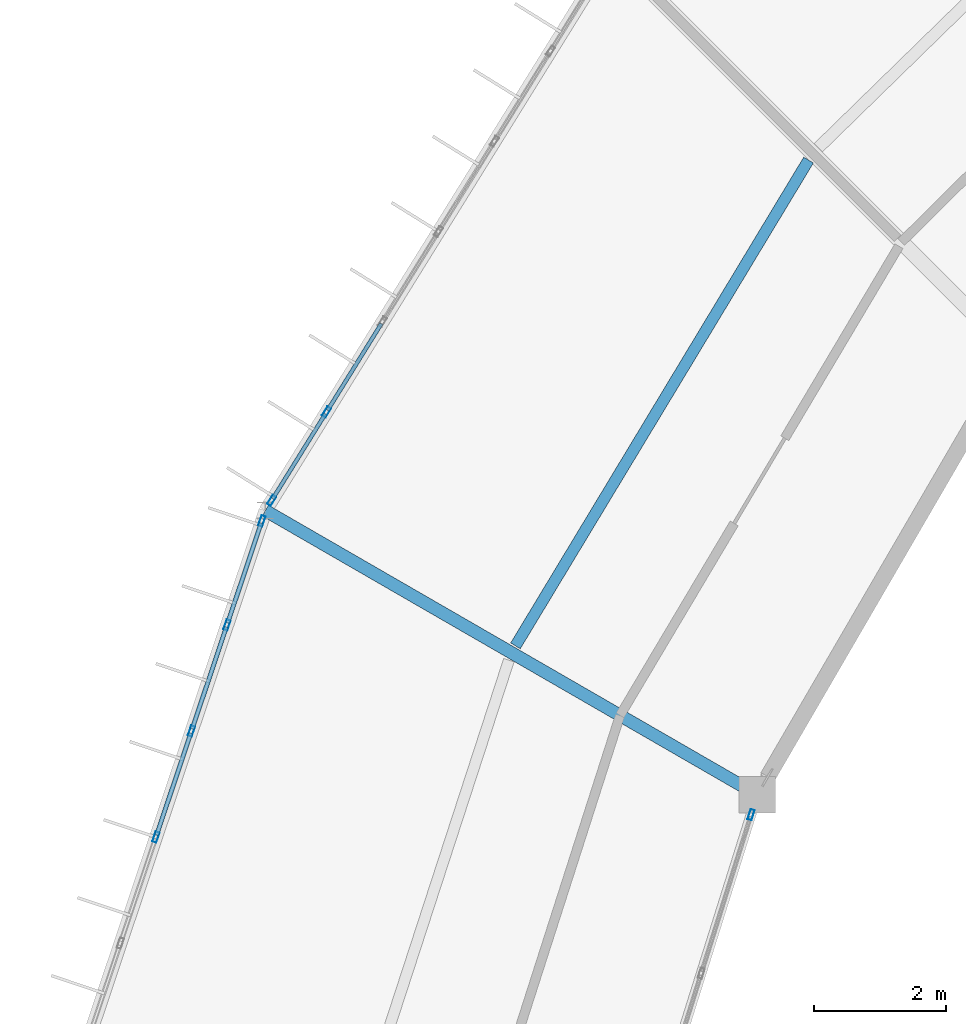
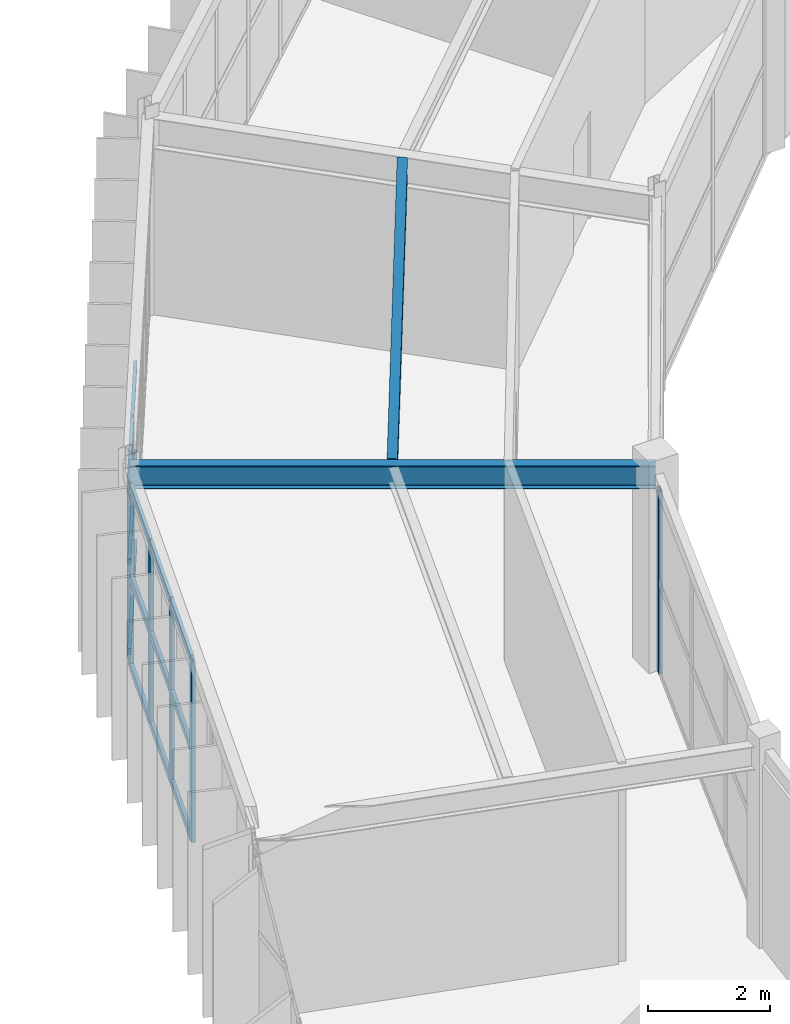
# One storey, part 66 of 134: 22 members, 2 beams, 3 elements without a shape of their own.
"""IFC4 building model written with IfcOpenShell, lengths in metres."""

from ifc_helpers import new_model, si_unit, direction, frame, origin, origin_2d, place, context, subcontext, project, spatial, hollow_rectangle, i_section, extrude, material, material_profile, profile_set, type_object, element, aggregate, save


model = new_model("IFC4")

# Units and contexts
model_context = context("Model", 3, precision=1e-05, world=origin(), true_north=direction((0.0, 1.0)))
body_context = subcontext(model_context, "Body", "Model", "MODEL_VIEW")
ifc_project = project(units=[si_unit("LENGTHUNIT", "METRE"), si_unit("AREAUNIT", "SQUARE_METRE"), si_unit("VOLUMEUNIT", "CUBIC_METRE"), si_unit("PLANEANGLEUNIT", "RADIAN"), si_unit("MASSUNIT", "GRAM", prefix="KILO")], contexts=[model_context])

# Site, building, storey
site_placement = place(None, origin())
site = spatial("IfcSite", under=ifc_project, at=site_placement, CompositionType="ELEMENT")
building_placement = place(site_placement, origin())
building = spatial("IfcBuilding", under=site, at=building_placement, Name="Karori Crest Natural Sciences Institute", CompositionType="ELEMENT")
storey_placement = place(building_placement, frame((0.0, 0.0, 21.699951171875)))
storey = spatial("IfcBuildingStorey", under=building, at=storey_placement, Name="L05", CompositionType="ELEMENT", Elevation=21.699951171875)

# Beams
ifc_material_1 = material(Name="Structural steel AS/NZS 3679.1 Grade 350", Category="steel")
ifc_material_profile_1 = material_profile(ifc_material_1, i_section(OverallWidth=0.18994140625, OverallDepth=0.4541015625, WebThickness=0.008544921875, FlangeThickness=0.0126953125, FilletRadius=0.010986328125, at=origin_2d()), Name="460UB67.1")
ifc_profile_set_1 = profile_set([ifc_material_profile_1], Name="Structural steel AS/NZS 3679.1 Grade 350")
beam_type_1 = type_object("IfcBeamType", Name="BT-28", PredefinedType="BEAM", material=ifc_profile_set_1)
beam_1_placement = place(storey_placement, frame((45.26904296875, 66.0, 3.713134765625), z_axis=(-0.866021068297, 0.500007509209, 0.0), x_axis=(-0.500007509209, -0.866021068297, 0.0)))
element("IfcBeam", 1, at=beam_1_placement, inside=storey, type_object=beam_type_1, Name="Beam B-0581", PredefinedType="BEAM", context=body_context, shape_type="SweptSolid", body=[
    extrude(i_section(OverallWidth=0.18994140625, OverallDepth=0.4541015625, WebThickness=0.008544921875, FlangeThickness=0.0126953125, FilletRadius=0.010986328125, at=origin_2d()), origin(), (0.0, 0.0, 1.0), 8.599853515625),
])
ifc_material_profile_2 = material_profile(ifc_material_1, i_section(OverallWidth=0.1708984375, OverallDepth=0.35595703125, WebThickness=0.00732421875, FlangeThickness=0.011474609375, FilletRadius=0.010986328125, at=origin_2d()), Name="360UB50.7")
ifc_profile_set_2 = profile_set([ifc_material_profile_2], Name="Structural steel AS/NZS 3679.1 Grade 350")
beam_type_2 = type_object("IfcBeamType", Name="BT-30", PredefinedType="BEAM", material=ifc_profile_set_2)
beam_2_placement = place(storey_placement, frame((46.044189453125, 75.606689453125, 3.761962890625), z_axis=(-0.516601017309, -0.856226248672, 0.0), x_axis=(0.856226248672, -0.516601017309, 0.0)))
element("IfcBeam", 2, at=beam_2_placement, inside=storey, type_object=beam_type_2, Name="Beam B-0578", PredefinedType="BEAM", context=body_context, shape_type="SweptSolid", body=[
    extrude(i_section(OverallWidth=0.1708984375, OverallDepth=0.35595703125, WebThickness=0.00732421875, FlangeThickness=0.011474609375, FilletRadius=0.010986328125, at=origin_2d()), origin(), (0.0, 0.0, 1.0), 8.5888671875),
])

# Curtain wall, members
ifc_material_2 = material(Name="Anodised architectural aluminium 6063-T6", Category="aluminium")
curtain_wall_type_1 = type_object("IfcCurtainWallType", Name="CWT-10", PredefinedType="NOTDEFINED", material=ifc_material_2)
curtain_wall_1_placement = place(storey_placement, origin())
curtain_wall_1 = element("IfcCurtainWall", 3, at=curtain_wall_1_placement, inside=storey, type_object=curtain_wall_type_1, Name="Curtain wall CW-0186", PredefinedType="NOTDEFINED")
ifc_material_profile_3 = material_profile(ifc_material_2, hollow_rectangle(XDim=0.06494140625, YDim=0.159912109375, WallThickness=0.00390625, at=origin_2d()), Name="CWM160x65x4")
ifc_profile_set_3 = profile_set([ifc_material_profile_3], Name="Anodised architectural aluminium 6063-T6")
member_type_1 = type_object("IfcMemberType", Name="CWM-01", PredefinedType="MULLION", material=ifc_profile_set_3)
member_1_placement = place(storey_placement, frame((37.916259765625, 70.452880859375, 0.0), z_axis=(0.0, 0.0, 1.0), x_axis=(-0.849664350398, 0.527323896352, 0.0)))
member_1 = element("IfcMember", 4, at=member_1_placement, type_object=member_type_1, Name="CW-0186 mullion 1", PredefinedType="MULLION", context=body_context, shape_type="SweptSolid", body=[
    extrude(hollow_rectangle(XDim=0.06494140625, YDim=0.159912109375, WallThickness=0.00390625, at=origin_2d()), origin(), (0.0, 0.0, 1.0), 3.625),
])
member_2_placement = place(storey_placement, frame((38.746826171875, 71.791259765625, 0.0), z_axis=(0.0, 0.0, 1.0), x_axis=(-0.849664350398, 0.527323896352, 0.0)))
member_2 = element("IfcMember", 5, at=member_2_placement, type_object=member_type_1, Name="CW-0186 mullion 2", PredefinedType="MULLION", context=body_context, shape_type="SweptSolid", body=[
    extrude(hollow_rectangle(XDim=0.06494140625, YDim=0.159912109375, WallThickness=0.00390625, at=origin_2d()), origin(), (0.0, 0.0, 1.0), 3.625),
])

curtain_wall_type_2 = type_object("IfcCurtainWallType", Name="CWT-01", PredefinedType="NOTDEFINED", material=ifc_material_2)
curtain_wall_2_placement = place(storey_placement, origin())
curtain_wall_2 = element("IfcCurtainWall", 6, at=curtain_wall_2_placement, inside=storey, type_object=curtain_wall_type_2, Name="Curtain wall CW-0187", PredefinedType="NOTDEFINED")
member_3_placement = place(storey_placement, frame((36.1650390625, 65.35693359375, 0.0), z_axis=(0.0, 0.0, 1.0), x_axis=(-0.94819805026, 0.317679803392, 0.0)))
member_3 = element("IfcMember", 7, at=member_3_placement, type_object=member_type_1, Name="CW-0187 mullion 4", PredefinedType="MULLION", context=body_context, shape_type="SweptSolid", body=[
    extrude(hollow_rectangle(XDim=0.06494140625, YDim=0.159912109375, WallThickness=0.00390625, at=origin_2d()), origin(), (0.0, 0.0, 1.0), 3.625),
])
member_4_placement = place(storey_placement, frame((36.703125, 66.962890625, 0.0), z_axis=(0.0, 0.0, 1.0), x_axis=(-0.94819805026, 0.317679803392, 0.0)))
member_4 = element("IfcMember", 8, at=member_4_placement, type_object=member_type_1, Name="CW-0187 mullion 5", PredefinedType="MULLION", context=body_context, shape_type="SweptSolid", body=[
    extrude(hollow_rectangle(XDim=0.06494140625, YDim=0.159912109375, WallThickness=0.00390625, at=origin_2d()), origin(), (0.0, 0.0, 1.0), 3.625),
])
member_5_placement = place(storey_placement, frame((37.2412109375, 68.56884765625, 0.0), z_axis=(0.0, 0.0, 1.0), x_axis=(-0.94819805026, 0.317679803392, 0.0)))
member_5 = element("IfcMember", 9, at=member_5_placement, type_object=member_type_1, Name="CW-0187 mullion 6", PredefinedType="MULLION", context=body_context, shape_type="SweptSolid", body=[
    extrude(hollow_rectangle(XDim=0.06494140625, YDim=0.159912109375, WallThickness=0.00390625, at=origin_2d()), origin(), (0.0, 0.0, 1.0), 3.625),
])
member_6_placement = place(storey_placement, frame((37.76904296875, 70.14404296875, 0.0), z_axis=(0.0, 0.0, 1.0), x_axis=(-0.94819805026, 0.317679803392, 0.0)))
member_6 = element("IfcMember", 10, at=member_6_placement, type_object=member_type_1, Name="CW-0187 mullion 7", PredefinedType="MULLION", context=body_context, shape_type="SweptSolid", body=[
    extrude(hollow_rectangle(XDim=0.06494140625, YDim=0.159912109375, WallThickness=0.00390625, at=origin_2d()), origin(), (0.0, 0.0, 1.0), 3.625),
])

# Curtain wall, member
curtain_wall_type_3 = type_object("IfcCurtainWallType", Name="CWT-11", PredefinedType="NOTDEFINED", material=ifc_material_2)
curtain_wall_3_placement = place(storey_placement, origin())
curtain_wall_3 = element("IfcCurtainWall", 11, at=curtain_wall_3_placement, inside=storey, type_object=curtain_wall_type_3, Name="Curtain wall CW-0188", PredefinedType="NOTDEFINED")
member_7_placement = place(storey_placement, frame((45.173583984375, 65.69580078125, 0.0), z_axis=(0.0, 0.0, 1.0), x_axis=(0.954104067778, -0.299475254154, 0.0)))
member_7 = element("IfcMember", 12, at=member_7_placement, type_object=member_type_1, Name="CW-0188 mullion 1", PredefinedType="MULLION", context=body_context, shape_type="SweptSolid", body=[
    extrude(hollow_rectangle(XDim=0.06494140625, YDim=0.159912109375, WallThickness=0.00390625, at=origin_2d()), origin(), (0.0, 0.0, 1.0), 3.650146484375),
])
aggregate(curtain_wall_3, [member_7])

# Member
ifc_material_profile_4 = material_profile(ifc_material_2, hollow_rectangle(XDim=0.06005859375, YDim=0.1201171875, WallThickness=0.00390625, at=origin_2d()), Name="CWT120x60x4")
ifc_profile_set_4 = profile_set([ifc_material_profile_4], Name="Anodised architectural aluminium 6063-T6")
member_type_2 = type_object("IfcMemberType", Name="CWT-TR1", PredefinedType="USERDEFINED", material=ifc_profile_set_4)
member_8_placement = place(storey_placement, frame((37.933349609375, 70.48046875, 0.030029296875), z_axis=(0.52732262058, 0.849665142173, 0.0), x_axis=(-0.849665142173, 0.52732262058, 0.0)))
member_8 = element("IfcMember", 13, at=member_8_placement, type_object=member_type_2, Name="CW-0186 transom 1.1", ObjectType="TRANSOM", PredefinedType="USERDEFINED", context=body_context, shape_type="SweptSolid", body=[
    extrude(hollow_rectangle(XDim=0.06005859375, YDim=0.1201171875, WallThickness=0.00390625, at=origin_2d()), origin(), (0.0, 0.0, 1.0), 1.51025390625),
])

member_9_placement = place(storey_placement, frame((37.933349609375, 70.48046875, 1.8125), z_axis=(0.52732262058, 0.849665142173, 0.0), x_axis=(-0.849665142173, 0.52732262058, 0.0)))
member_9 = element("IfcMember", 14, at=member_9_placement, type_object=member_type_2, Name="CW-0186 transom 1.2", ObjectType="TRANSOM", PredefinedType="USERDEFINED", context=body_context, shape_type="SweptSolid", body=[
    extrude(hollow_rectangle(XDim=0.06005859375, YDim=0.1201171875, WallThickness=0.00390625, at=origin_2d()), origin(), (0.0, 0.0, 1.0), 1.51025390625),
])

member_10_placement = place(storey_placement, frame((37.933349609375, 70.48046875, 3.594970703125), z_axis=(0.52732262058, 0.849665142173, 0.0), x_axis=(-0.849665142173, 0.52732262058, 0.0)))
member_10 = element("IfcMember", 15, at=member_10_placement, type_object=member_type_2, Name="CW-0186 transom 1.3", ObjectType="TRANSOM", PredefinedType="USERDEFINED", context=body_context, shape_type="SweptSolid", body=[
    extrude(hollow_rectangle(XDim=0.06005859375, YDim=0.1201171875, WallThickness=0.00390625, at=origin_2d()), origin(), (0.0, 0.0, 1.0), 1.51025390625),
])

member_11_placement = place(storey_placement, frame((38.763916015625, 71.819091796875, 0.030029296875), z_axis=(0.527307708925, 0.849674396524, 0.0), x_axis=(-0.849674396524, 0.527307708925, 0.0)))
member_11 = element("IfcMember", 16, at=member_11_placement, type_object=member_type_2, Name="CW-0186 transom 2.1", ObjectType="TRANSOM", PredefinedType="USERDEFINED", context=body_context, shape_type="SweptSolid", body=[
    extrude(hollow_rectangle(XDim=0.06005859375, YDim=0.1201171875, WallThickness=0.00390625, at=origin_2d()), origin(), (0.0, 0.0, 1.0), 1.542724609375),
])

member_12_placement = place(storey_placement, frame((38.763916015625, 71.819091796875, 1.8125), z_axis=(0.527307708925, 0.849674396524, 0.0), x_axis=(-0.849674396524, 0.527307708925, 0.0)))
member_12 = element("IfcMember", 17, at=member_12_placement, type_object=member_type_2, Name="CW-0186 transom 2.2", ObjectType="TRANSOM", PredefinedType="USERDEFINED", context=body_context, shape_type="SweptSolid", body=[
    extrude(hollow_rectangle(XDim=0.06005859375, YDim=0.1201171875, WallThickness=0.00390625, at=origin_2d()), origin(), (0.0, 0.0, 1.0), 1.542724609375),
])

member_13_placement = place(storey_placement, frame((38.763916015625, 71.819091796875, 3.594970703125), z_axis=(0.527307708925, 0.849674396524, 0.0), x_axis=(-0.849674396524, 0.527307708925, 0.0)))
member_13 = element("IfcMember", 18, at=member_13_placement, type_object=member_type_2, Name="CW-0186 transom 2.3", ObjectType="TRANSOM", PredefinedType="USERDEFINED", context=body_context, shape_type="SweptSolid", body=[
    extrude(hollow_rectangle(XDim=0.06005859375, YDim=0.1201171875, WallThickness=0.00390625, at=origin_2d()), origin(), (0.0, 0.0, 1.0), 1.542724609375),
])

aggregate(curtain_wall_1, [member_1, member_2, member_8, member_9, member_10, member_11, member_12, member_13])

ifc_material_profile_5 = material_profile(ifc_material_2, hollow_rectangle(XDim=0.06494140625, YDim=0.14990234375, WallThickness=0.00390625, at=origin_2d()), Name="CWT150x65x4")
ifc_profile_set_5 = profile_set([ifc_material_profile_5], Name="Anodised architectural aluminium 6063-T6")
member_type_3 = type_object("IfcMemberType", Name="CWT-TR2", PredefinedType="USERDEFINED", material=ifc_profile_set_5)
member_14_placement = place(storey_placement, frame((36.175537109375, 65.3876953125, 0.032470703125), z_axis=(0.317621421426, 0.948217608279, 0.0), x_axis=(-0.948217608279, 0.317621421426, 0.0)))
member_14 = element("IfcMember", 19, at=member_14_placement, type_object=member_type_3, Name="CW-0187 transom 4.1", ObjectType="TRANSOM", PredefinedType="USERDEFINED", context=body_context, shape_type="SweptSolid", body=[
    extrude(hollow_rectangle(XDim=0.06494140625, YDim=0.14990234375, WallThickness=0.00390625, at=origin_2d()), origin(), (0.0, 0.0, 1.0), 1.628662109375),
])

member_15_placement = place(storey_placement, frame((36.175537109375, 65.3876953125, 1.8125), z_axis=(0.317621421426, 0.948217608279, 0.0), x_axis=(-0.948217608279, 0.317621421426, 0.0)))
member_15 = element("IfcMember", 20, at=member_15_placement, type_object=member_type_3, Name="CW-0187 transom 4.2", ObjectType="TRANSOM", PredefinedType="USERDEFINED", context=body_context, shape_type="SweptSolid", body=[
    extrude(hollow_rectangle(XDim=0.06494140625, YDim=0.14990234375, WallThickness=0.00390625, at=origin_2d()), origin(), (0.0, 0.0, 1.0), 1.628662109375),
])

member_16_placement = place(storey_placement, frame((36.175537109375, 65.3876953125, 3.592529296875), z_axis=(0.317621421426, 0.948217608279, 0.0), x_axis=(-0.948217608279, 0.317621421426, 0.0)))
member_16 = element("IfcMember", 21, at=member_16_placement, type_object=member_type_3, Name="CW-0187 transom 4.3", ObjectType="TRANSOM", PredefinedType="USERDEFINED", context=body_context, shape_type="SweptSolid", body=[
    extrude(hollow_rectangle(XDim=0.06494140625, YDim=0.14990234375, WallThickness=0.00390625, at=origin_2d()), origin(), (0.0, 0.0, 1.0), 1.628662109375),
])

member_17_placement = place(storey_placement, frame((36.71337890625, 66.99365234375, 0.032470703125), z_axis=(0.317756182308, 0.948172457207, 0.0), x_axis=(-0.948172457207, 0.317756182308, 0.0)))
member_17 = element("IfcMember", 22, at=member_17_placement, type_object=member_type_3, Name="CW-0187 transom 5.1", ObjectType="TRANSOM", PredefinedType="USERDEFINED", context=body_context, shape_type="SweptSolid", body=[
    extrude(hollow_rectangle(XDim=0.06494140625, YDim=0.14990234375, WallThickness=0.00390625, at=origin_2d()), origin(), (0.0, 0.0, 1.0), 1.62890625),
])

member_18_placement = place(storey_placement, frame((36.71337890625, 66.99365234375, 1.8125), z_axis=(0.317756182308, 0.948172457207, 0.0), x_axis=(-0.948172457207, 0.317756182308, 0.0)))
member_18 = element("IfcMember", 23, at=member_18_placement, type_object=member_type_3, Name="CW-0187 transom 5.2", ObjectType="TRANSOM", PredefinedType="USERDEFINED", context=body_context, shape_type="SweptSolid", body=[
    extrude(hollow_rectangle(XDim=0.06494140625, YDim=0.14990234375, WallThickness=0.00390625, at=origin_2d()), origin(), (0.0, 0.0, 1.0), 1.62890625),
])

member_19_placement = place(storey_placement, frame((36.71337890625, 66.99365234375, 3.592529296875), z_axis=(0.317756182308, 0.948172457207, 0.0), x_axis=(-0.948172457207, 0.317756182308, 0.0)))
member_19 = element("IfcMember", 24, at=member_19_placement, type_object=member_type_3, Name="CW-0187 transom 5.3", ObjectType="TRANSOM", PredefinedType="USERDEFINED", context=body_context, shape_type="SweptSolid", body=[
    extrude(hollow_rectangle(XDim=0.06494140625, YDim=0.14990234375, WallThickness=0.00390625, at=origin_2d()), origin(), (0.0, 0.0, 1.0), 1.62890625),
])

member_20_placement = place(storey_placement, frame((37.25146484375, 68.599609375, 0.032470703125), z_axis=(0.317649722808, 0.948208127786, 0.0), x_axis=(-0.948208127786, 0.317649722808, 0.0)))
member_20 = element("IfcMember", 25, at=member_20_placement, type_object=member_type_3, Name="CW-0187 transom 6.1", ObjectType="TRANSOM", PredefinedType="USERDEFINED", context=body_context, shape_type="SweptSolid", body=[
    extrude(hollow_rectangle(XDim=0.06494140625, YDim=0.14990234375, WallThickness=0.00390625, at=origin_2d()), origin(), (0.0, 0.0, 1.0), 1.596435546875),
])

member_21_placement = place(storey_placement, frame((37.25146484375, 68.599609375, 1.8125), z_axis=(0.317649722808, 0.948208127786, 0.0), x_axis=(-0.948208127786, 0.317649722808, 0.0)))
member_21 = element("IfcMember", 26, at=member_21_placement, type_object=member_type_3, Name="CW-0187 transom 6.2", ObjectType="TRANSOM", PredefinedType="USERDEFINED", context=body_context, shape_type="SweptSolid", body=[
    extrude(hollow_rectangle(XDim=0.06494140625, YDim=0.14990234375, WallThickness=0.00390625, at=origin_2d()), origin(), (0.0, 0.0, 1.0), 1.596435546875),
])

member_22_placement = place(storey_placement, frame((37.25146484375, 68.599609375, 3.592529296875), z_axis=(0.317649722808, 0.948208127786, 0.0), x_axis=(-0.948208127786, 0.317649722808, 0.0)))
member_22 = element("IfcMember", 27, at=member_22_placement, type_object=member_type_3, Name="CW-0187 transom 6.3", ObjectType="TRANSOM", PredefinedType="USERDEFINED", context=body_context, shape_type="SweptSolid", body=[
    extrude(hollow_rectangle(XDim=0.06494140625, YDim=0.14990234375, WallThickness=0.00390625, at=origin_2d()), origin(), (0.0, 0.0, 1.0), 1.596435546875),
])

aggregate(curtain_wall_2, [member_3, member_4, member_5, member_6, member_14, member_15, member_16, member_17, member_18, member_19, member_20, member_21, member_22])

save(model, "model.ifc")
